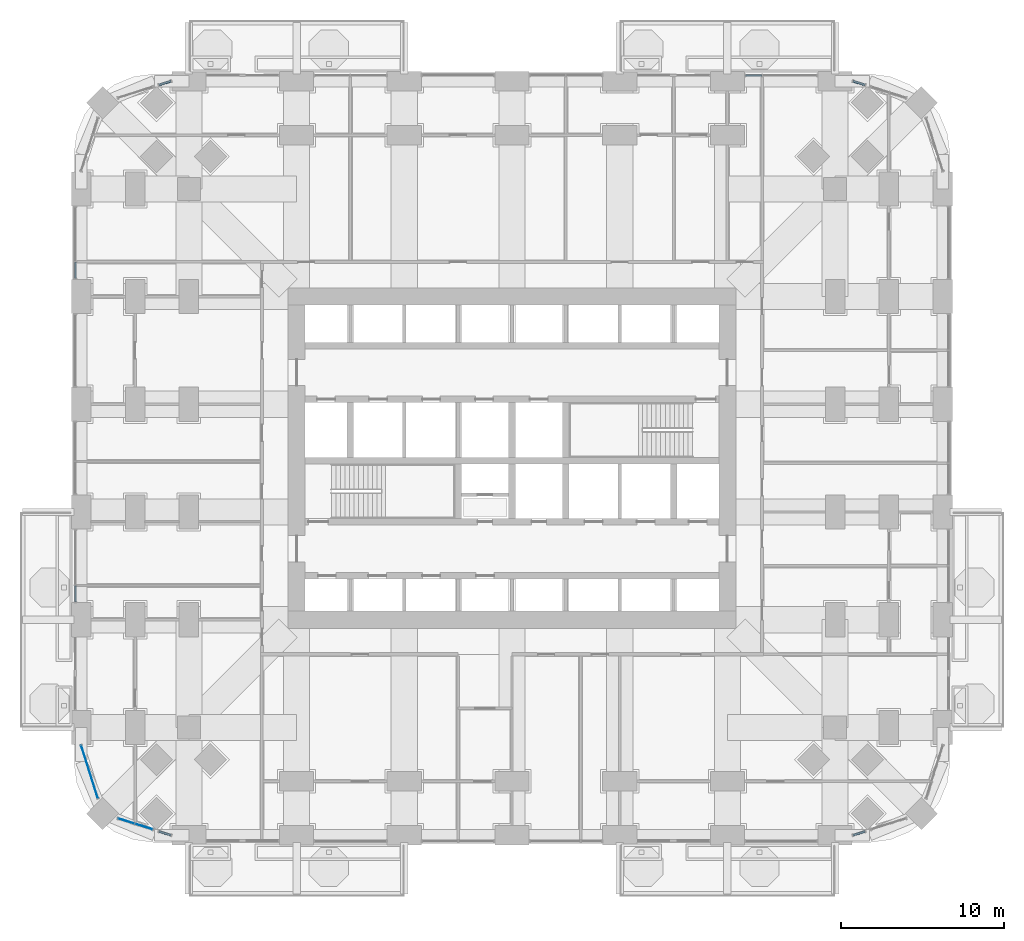
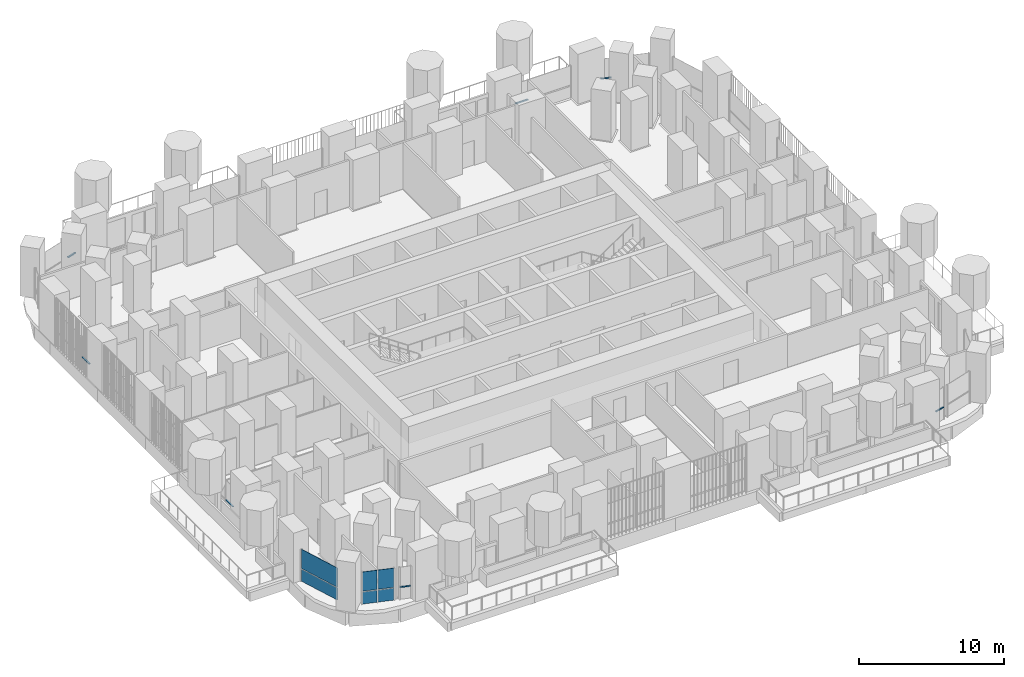
# One storey, part 11 of 27: 7 members, 6 plates, 9 elements without a shape of their own.
"""IFC4 building model written with IfcOpenShell, lengths in metres."""

from ifc_helpers import new_model, si_unit, direction, frame, origin, origin_2d, place, context, subcontext, project, spatial, rectangle, extrude, material, layer, layer_set, material_profile, profile_set, type_object, element, aggregate, save


model = new_model("IFC4")

# Units and contexts
model_context = context("Model", 3, precision=1e-05, world=origin(), true_north=direction((0.0, 1.0)))
body_context = subcontext(model_context, "Body", "Model", "MODEL_VIEW")
ifc_project = project(units=[si_unit("LENGTHUNIT", "METRE"), si_unit("AREAUNIT", "SQUARE_METRE"), si_unit("VOLUMEUNIT", "CUBIC_METRE"), si_unit("PLANEANGLEUNIT", "RADIAN"), si_unit("MASSUNIT", "GRAM", prefix="KILO")], contexts=[model_context])

# Site, building, storey
site_placement = place(None, origin())
site = spatial("IfcSite", under=ifc_project, at=site_placement, CompositionType="ELEMENT")
building_placement = place(site_placement, origin())
building = spatial("IfcBuilding", under=site, at=building_placement, Name="Cobogo Forest Laboratory Tower", CompositionType="ELEMENT")
storey_placement = place(building_placement, frame((0.0, 0.0, 54.89990234375)))
storey = spatial("IfcBuildingStorey", under=building, at=storey_placement, Name="L12", CompositionType="ELEMENT", Elevation=54.89990234375)

# Curtain wall, member
ifc_material_1 = material(Name="Aluminium curtain wall", Category="aluminium")
curtain_wall_type = type_object("IfcCurtainWallType", Name="CW-1 unitised curtain wall, clear glazing, laboratory floors zones A and B", PredefinedType="USERDEFINED", material=ifc_material_1)
curtain_wall_1_placement = place(storey_placement, origin())
curtain_wall_1 = element("IfcCurtainWall", 1, at=curtain_wall_1_placement, inside=storey, type_object=curtain_wall_type, Name="Curtain wall 07 L12", ObjectType="UNITISED CURTAIN WALL", PredefinedType="USERDEFINED")
ifc_material_2 = material(Name="Aluminium transom", Category="aluminium")
ifc_material_profile = material_profile(ifc_material_2, rectangle(XDim=0.1201171875, YDim=0.06005859375, at=origin_2d()), Name="AL 60x120")
ifc_profile_set = profile_set([ifc_material_profile], Name="Aluminium transom")
member_type = type_object("IfcMemberType", Name="TR-1 aluminium transom 60x120", PredefinedType="USERDEFINED", material=ifc_profile_set)
member_1_placement = place(storey_placement, frame((47.30712890625, -0.000244140625, 1.050048828125), z_axis=(0.95359247203, 0.301100311005, 0.0), x_axis=(-0.301100311005, 0.95359247203, 0.0)))
member_1 = element("IfcMember", 2, at=member_1_placement, type_object=member_type, Name="CW-1 transom 1.1", ObjectType="TRANSOM", PredefinedType="USERDEFINED", context=body_context, shape_type="SweptSolid", body=[
    extrude(rectangle(XDim=0.1201171875, YDim=0.06005859375, at=origin_2d()), origin(), (0.0, 0.0, 1.0), 0.75244140625),
])
aggregate(curtain_wall_1, [member_1])

curtain_wall_2_placement = place(storey_placement, origin())
curtain_wall_2 = element("IfcCurtainWall", 3, at=curtain_wall_2_placement, inside=storey, type_object=curtain_wall_type, Name="Curtain wall 17 L12", ObjectType="UNITISED CURTAIN WALL", PredefinedType="USERDEFINED")
member_2_placement = place(storey_placement, frame((48.024658203125, 45.973876953125, 1.050048828125), z_axis=(-0.95359247203, 0.301100311005, 0.0), x_axis=(-0.301100311005, -0.95359247203, 0.0)))
member_2 = element("IfcMember", 4, at=member_2_placement, type_object=member_type, Name="CW-1 transom 1.1", ObjectType="TRANSOM", PredefinedType="USERDEFINED", context=body_context, shape_type="SweptSolid", body=[
    extrude(rectangle(XDim=0.1201171875, YDim=0.06005859375, at=origin_2d()), origin(), (0.0, 0.0, 1.0), 0.75244140625),
])
aggregate(curtain_wall_2, [member_2])

curtain_wall_3_placement = place(storey_placement, origin())
curtain_wall_3 = element("IfcCurtainWall", 5, at=curtain_wall_3_placement, inside=storey, type_object=curtain_wall_type, Name="Curtain wall 18 L12", ObjectType="UNITISED CURTAIN WALL", PredefinedType="USERDEFINED")
member_3_placement = place(storey_placement, frame((41.695068359375, 46.550048828125, 1.050048828125), z_axis=(-1.0, 0.0, 0.0), x_axis=(0.0, -1.0, 0.0)))
member_3 = element("IfcMember", 6, at=member_3_placement, type_object=member_type, Name="CW-1 transom 2.1", ObjectType="TRANSOM", PredefinedType="USERDEFINED", context=body_context, shape_type="SweptSolid", body=[
    extrude(rectangle(XDim=0.1201171875, YDim=0.06005859375, at=origin_2d()), origin(), (0.0, 0.0, 1.0), 0.985107421875),
])
aggregate(curtain_wall_3, [member_3])

curtain_wall_4_placement = place(storey_placement, origin())
curtain_wall_4 = element("IfcCurtainWall", 7, at=curtain_wall_4_placement, inside=storey, type_object=curtain_wall_type, Name="Curtain wall 24 L12", ObjectType="UNITISED CURTAIN WALL", PredefinedType="USERDEFINED")
member_4_placement = place(storey_placement, frame((5.49267578125, 46.200439453125, 1.050048828125), z_axis=(-0.953563042236, -0.301193500066, 0.0), x_axis=(0.301193500066, -0.953563042236, 0.0)))
member_4 = element("IfcMember", 8, at=member_4_placement, type_object=member_type, Name="CW-1 transom 1.1", ObjectType="TRANSOM", PredefinedType="USERDEFINED", context=body_context, shape_type="SweptSolid", body=[
    extrude(rectangle(XDim=0.1201171875, YDim=0.06005859375, at=origin_2d()), origin(), (0.0, 0.0, 1.0), 0.752197265625),
])
aggregate(curtain_wall_4, [member_4])

curtain_wall_5_placement = place(storey_placement, origin())
curtain_wall_5 = element("IfcCurtainWall", 9, at=curtain_wall_5_placement, inside=storey, type_object=curtain_wall_type, Name="Curtain wall 27 L12", ObjectType="UNITISED CURTAIN WALL", PredefinedType="USERDEFINED")
member_5_placement = place(storey_placement, frame((-0.35009765625, 35.094970703125, 1.050048828125), z_axis=(0.0, -1.0, 0.0), x_axis=(1.0, 0.0, 0.0)))
member_5 = element("IfcMember", 10, at=member_5_placement, type_object=member_type, Name="CW-1 transom 2.1", ObjectType="TRANSOM", PredefinedType="USERDEFINED", context=body_context, shape_type="SweptSolid", body=[
    extrude(rectangle(XDim=0.1201171875, YDim=0.06005859375, at=origin_2d()), origin(), (0.0, 0.0, 1.0), 0.98486328125),
])
aggregate(curtain_wall_5, [member_5])

curtain_wall_6_placement = place(storey_placement, origin())
curtain_wall_6 = element("IfcCurtainWall", 11, at=curtain_wall_6_placement, inside=storey, type_object=curtain_wall_type, Name="Curtain wall 30 L12", ObjectType="UNITISED CURTAIN WALL", PredefinedType="USERDEFINED")
member_6_placement = place(storey_placement, frame((-0.35009765625, 15.27001953125, 1.050048828125), z_axis=(0.0, -1.0, 0.0), x_axis=(1.0, 0.0, 0.0)))
member_6 = element("IfcMember", 12, at=member_6_placement, type_object=member_type, Name="CW-1 transom 2.1", ObjectType="TRANSOM", PredefinedType="USERDEFINED", context=body_context, shape_type="SweptSolid", body=[
    extrude(rectangle(XDim=0.1201171875, YDim=0.06005859375, at=origin_2d()), origin(), (0.0, 0.0, 1.0), 0.9599609375),
])
aggregate(curtain_wall_6, [member_6])

curtain_wall_7_placement = place(storey_placement, origin())
curtain_wall_7 = element("IfcCurtainWall", 13, at=curtain_wall_7_placement, inside=storey, type_object=curtain_wall_type, Name="Curtain wall 34 L12", ObjectType="UNITISED CURTAIN WALL", PredefinedType="USERDEFINED")
member_7_placement = place(storey_placement, frame((4.775390625, 0.226318359375, 1.050048828125), z_axis=(0.953563042236, -0.301193500066, 0.0), x_axis=(0.301193500066, 0.953563042236, 0.0)))
member_7 = element("IfcMember", 14, at=member_7_placement, type_object=member_type, Name="CW-1 transom 1.1", ObjectType="TRANSOM", PredefinedType="USERDEFINED", context=body_context, shape_type="SweptSolid", body=[
    extrude(rectangle(XDim=0.1201171875, YDim=0.06005859375, at=origin_2d()), origin(), (0.0, 0.0, 1.0), 0.752197265625),
])
aggregate(curtain_wall_7, [member_7])

# Curtain wall, plates
curtain_wall_8_placement = place(storey_placement, origin())
curtain_wall_8 = element("IfcCurtainWall", 15, at=curtain_wall_8_placement, inside=storey, type_object=curtain_wall_type, Name="Curtain wall 32 L12", ObjectType="UNITISED CURTAIN WALL", PredefinedType="USERDEFINED")
ifc_material_3 = material(Name="Clear insulated glass", Category="glass")
ifc_layer = layer(ifc_material_3, 0.028076171875)
ifc_layer_set = layer_set([ifc_layer], Name="GP-1 clear insulated glass unit 28")
plate_type = type_object("IfcPlateType", Name="GP-1 clear insulated glass unit 28", PredefinedType="CURTAIN_PANEL", material=ifc_layer_set)
plate_1_placement = place(storey_placement, frame((0.509033203125, 3.880126953125, 0.0), z_axis=(0.0, 0.0, 1.0), x_axis=(0.30113535792, -0.95358140513, 0.0)))
plate_1 = element("IfcPlate", 16, at=plate_1_placement, type_object=plate_type, Name="CW-1 panel 1.1", PredefinedType="CURTAIN_PANEL", context=body_context, shape_type="SweptSolid", body=[
    extrude(rectangle(XDim=3.382568359375, YDim=0.028076171875, at=origin_2d()), origin(), (0.0, 0.0, 1.0), 1.02001953125),
])
plate_2_placement = place(storey_placement, frame((0.509033203125, 3.880126953125, 1.080078125), z_axis=(0.0, 0.0, 1.0), x_axis=(0.30113535792, -0.95358140513, 0.0)))
plate_2 = element("IfcPlate", 17, at=plate_2_placement, type_object=plate_type, Name="CW-1 panel 1.2", PredefinedType="CURTAIN_PANEL", context=body_context, shape_type="SweptSolid", body=[
    extrude(rectangle(XDim=3.382568359375, YDim=0.028076171875, at=origin_2d()), origin(), (0.0, 0.0, 1.0), 1.6201171875),
])
aggregate(curtain_wall_8, [plate_1, plate_2])

curtain_wall_9_placement = place(storey_placement, origin())
curtain_wall_9 = element("IfcCurtainWall", 18, at=curtain_wall_9_placement, inside=storey, type_object=curtain_wall_type, Name="Curtain wall 33 L12", ObjectType="UNITISED CURTAIN WALL", PredefinedType="USERDEFINED")
plate_3_placement = place(storey_placement, frame((2.75732421875, 0.863525390625, 0.0), z_axis=(0.0, 0.0, 1.0), x_axis=(0.953581409645, -0.301135343623, 0.0)))
plate_3 = element("IfcPlate", 19, at=plate_3_placement, type_object=plate_type, Name="CW-1 panel 1.1", PredefinedType="CURTAIN_PANEL", context=body_context, shape_type="SweptSolid", body=[
    extrude(rectangle(XDim=1.027587890625, YDim=0.028076171875, at=origin_2d()), origin(), (0.0, 0.0, 1.0), 1.02001953125),
])
plate_4_placement = place(storey_placement, frame((2.75732421875, 0.863525390625, 1.080078125), z_axis=(0.0, 0.0, 1.0), x_axis=(0.953581409645, -0.301135343623, 0.0)))
plate_4 = element("IfcPlate", 20, at=plate_4_placement, type_object=plate_type, Name="CW-1 panel 1.2", PredefinedType="CURTAIN_PANEL", context=body_context, shape_type="SweptSolid", body=[
    extrude(rectangle(XDim=1.027587890625, YDim=0.028076171875, at=origin_2d()), origin(), (0.0, 0.0, 1.0), 1.6201171875),
])
plate_5_placement = place(storey_placement, frame((3.83642578125, 0.522705078125, 0.0), z_axis=(0.0, 0.0, 1.0), x_axis=(0.953581409645, -0.301135343623, 0.0)))
plate_5 = element("IfcPlate", 21, at=plate_5_placement, type_object=plate_type, Name="CW-1 panel 2.1", PredefinedType="CURTAIN_PANEL", context=body_context, shape_type="SweptSolid", body=[
    extrude(rectangle(XDim=1.11572265625, YDim=0.028076171875, at=origin_2d()), origin(), (0.0, 0.0, 1.0), 1.02001953125),
])
plate_6_placement = place(storey_placement, frame((3.83642578125, 0.522705078125, 1.080078125), z_axis=(0.0, 0.0, 1.0), x_axis=(0.953581409645, -0.301135343623, 0.0)))
plate_6 = element("IfcPlate", 22, at=plate_6_placement, type_object=plate_type, Name="CW-1 panel 2.2", PredefinedType="CURTAIN_PANEL", context=body_context, shape_type="SweptSolid", body=[
    extrude(rectangle(XDim=1.11572265625, YDim=0.028076171875, at=origin_2d()), origin(), (0.0, 0.0, 1.0), 1.6201171875),
])
aggregate(curtain_wall_9, [plate_3, plate_4, plate_5, plate_6])

save(model, "model.ifc")
